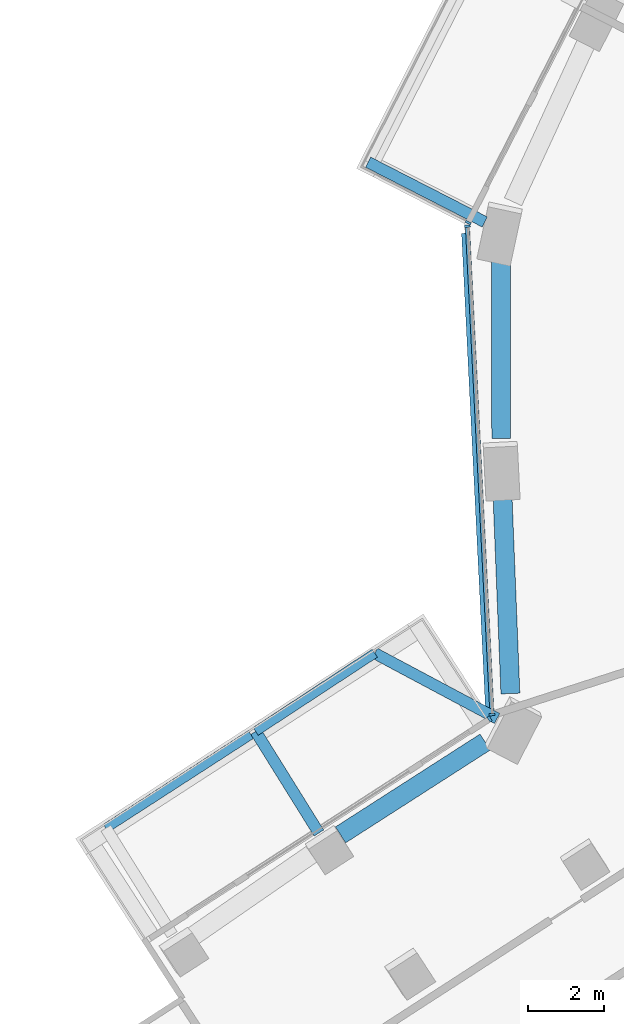
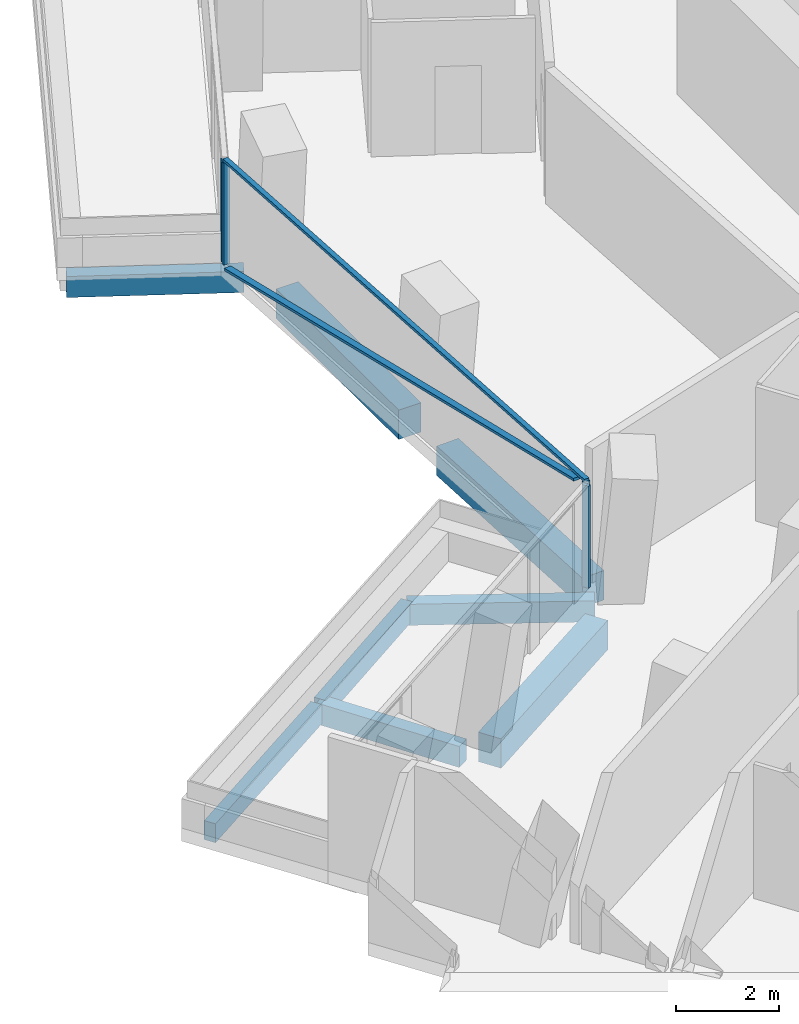
# One storey, part 4 of 25: 8 beams, 6 members, 3 elements without a shape of their own.
"""IFC4 building model written with IfcOpenShell, lengths in metres."""

from ifc_helpers import new_model, si_unit, direction, frame, origin, origin_2d, place, context, subcontext, project, spatial, rectangle, extrude, material, layer, layer_set, material_profile, profile_set, type_object, element, aggregate, save


model = new_model("IFC4")

# Units and contexts
model_context = context("Model", 3, precision=1e-05, world=origin(), true_north=direction((0.0, 1.0)))
body_context = subcontext(model_context, "Body", "Model", "MODEL_VIEW")
ifc_project = project(units=[si_unit("LENGTHUNIT", "METRE"), si_unit("AREAUNIT", "SQUARE_METRE"), si_unit("VOLUMEUNIT", "CUBIC_METRE"), si_unit("PLANEANGLEUNIT", "RADIAN"), si_unit("MASSUNIT", "GRAM", prefix="KILO")], contexts=[model_context])

# Site, building, storey
site_placement = place(None, origin())
site = spatial("IfcSite", under=ifc_project, at=site_placement, CompositionType="ELEMENT")
building_placement = place(site_placement, origin())
building = spatial("IfcBuilding", under=site, at=building_placement, Name="Verdalira Terraces Hotel", CompositionType="ELEMENT")
storey_placement = place(building_placement, frame((0.0, 0.0, 46.0)))
storey = spatial("IfcBuildingStorey", under=building, at=storey_placement, Name="L09", CompositionType="ELEMENT", Elevation=46.0)

# Beams
ifc_material_1 = material(Name="Concrete C40", Category="concrete")
ifc_material_profile_1 = material_profile(ifc_material_1, rectangle(XDim=0.300049, YDim=0.5, at=origin_2d()), Name="RC 300X500")
ifc_profile_set_1 = profile_set([ifc_material_profile_1], Name="Concrete C40")
beam_type_1 = type_object("IfcBeamType", Name="Balcony cantilever beam RC 300X500 C40", PredefinedType="BEAM", material=ifc_profile_set_1)
beam_1_placement = place(storey_placement, frame((-24.018066, 5.317139, -0.560059), z_axis=(-0.890020301, 0.455920897, 0.0), x_axis=(-0.455920897, -0.890020301, 0.0)))
element("IfcBeam", 1, at=beam_1_placement, inside=storey, type_object=beam_type_1, Name="Balcony cantilever beam R11-2", PredefinedType="BEAM", context=body_context, shape_type="SweptSolid", body=[
    extrude(rectangle(XDim=0.300049, YDim=0.5, at=origin_2d()), origin(), (0.0, 0.0, 1.0), 3.457031),
])
beam_2_placement = place(storey_placement, frame((-23.693115, -7.780029, -0.560059), z_axis=(-0.882280838, 0.470723405, 0.0), x_axis=(-0.470723405, -0.882280838, 0.0)))
element("IfcBeam", 2, at=beam_2_placement, inside=storey, type_object=beam_type_1, Name="Balcony cantilever beam R14-1", PredefinedType="BEAM", context=body_context, shape_type="SweptSolid", body=[
    extrude(rectangle(XDim=0.300049, YDim=0.5, at=origin_2d()), origin(), (0.0, 0.0, 1.0), 3.656006),
])
beam_3_placement = place(storey_placement, frame((-28.393311, -10.800049, -0.560059), z_axis=(-0.528712, 0.848801285, 0.0), x_axis=(-0.848801285, -0.528712, 0.0)))
element("IfcBeam", 3, at=beam_3_placement, inside=storey, type_object=beam_type_1, Name="Balcony cantilever beam R14-2", PredefinedType="BEAM", context=body_context, shape_type="SweptSolid", body=[
    extrude(rectangle(XDim=0.300049, YDim=0.5, at=origin_2d()), origin(), (0.0, 0.0, 1.0), 3.15625),
])
ifc_material_2 = material(Name="Concrete C40", Category="concrete")
ifc_material_profile_2 = material_profile(ifc_material_2, rectangle(XDim=0.25, YDim=0.449951, at=origin_2d()), Name="RC 250X450")
ifc_profile_set_2 = profile_set([ifc_material_profile_2], Name="Concrete C40")
beam_type_2 = type_object("IfcBeamType", Name="Balcony edge beam RC 250X450 C40", PredefinedType="BEAM", material=ifc_profile_set_2)
beam_4_placement = place(storey_placement, frame((-26.918701, -6.059082, -0.534912), z_axis=(-0.836143783, -0.548510322, 0.0), x_axis=(0.548510322, -0.836143783, 0.0)))
element("IfcBeam", 4, at=beam_4_placement, inside=storey, type_object=beam_type_2, Name="Balcony edge beam R14-1", PredefinedType="BEAM", context=body_context, shape_type="SweptSolid", body=[
    extrude(rectangle(XDim=0.25, YDim=0.449951, at=origin_2d()), origin(), (0.0, 0.0, 1.0), 3.759277),
])
beam_5_placement = place(storey_placement, frame((-30.187988, -8.202393, -0.534912), z_axis=(-0.839795942, -0.542902178, 0.0), x_axis=(0.542902178, -0.839795942, 0.0)))
element("IfcBeam", 5, at=beam_5_placement, inside=storey, type_object=beam_type_2, Name="Balcony edge beam R14-2", PredefinedType="BEAM", context=body_context, shape_type="SweptSolid", body=[
    extrude(rectangle(XDim=0.25, YDim=0.449951, at=origin_2d()), origin(), (0.0, 0.0, 1.0), 4.553223),
])

# Curtain wall, member
ifc_material_3 = material(Name="Clear glass", Category="glass")
ifc_layer_1 = layer(ifc_material_3, 0.14990234375)
ifc_layer_set_1 = layer_set([ifc_layer_1], Name="CW1 curtain wall")
curtain_wall_type_1 = type_object("IfcCurtainWallType", Name="CW1 curtain wall", PredefinedType="NOTDEFINED", material=ifc_layer_set_1)
curtain_wall_1_placement = place(storey_placement, origin())
curtain_wall_1 = element("IfcCurtainWall", 6, at=curtain_wall_1_placement, inside=storey, type_object=curtain_wall_type_1, Name="CW1 curtain wall L09 edge 12", PredefinedType="NOTDEFINED")
ifc_material_4 = material(Name="Terracotta frame", Category="masonry")
ifc_material_profile_3 = material_profile(ifc_material_4, rectangle(XDim=0.060059, YDim=0.149902, at=origin_2d()), Name="MU 60x150")
ifc_profile_set_3 = profile_set([ifc_material_profile_3], Name="Terracotta frame")
member_type_1 = type_object("IfcMemberType", Name="CW1 mullion 60x150", PredefinedType="MULLION", material=ifc_profile_set_3)
member_1_placement = place(storey_placement, frame((-24.455566, 5.30127, 0.0), z_axis=(0.0, 0.0, 1.0), x_axis=(-0.455855622, -0.890053735, 0.0)))
member_1 = element("IfcMember", 7, at=member_1_placement, type_object=member_type_1, Name="CW1 mullion", PredefinedType="MULLION", context=body_context, shape_type="SweptSolid", body=[
    extrude(rectangle(XDim=0.060059, YDim=0.149902, at=origin_2d()), origin(), (0.0, 0.0, 1.0), 2.425049),
])
aggregate(curtain_wall_1, [member_1])

# Curtain wall, members
curtain_wall_2_placement = place(storey_placement, origin())
curtain_wall_2 = element("IfcCurtainWall", 8, at=curtain_wall_2_placement, inside=storey, type_object=curtain_wall_type_1, Name="CW1 curtain wall L09 edge 13", PredefinedType="NOTDEFINED")
member_2_placement = place(storey_placement, frame((-24.47583, 5.206543, 0.0), z_axis=(0.0, 0.0, 1.0), x_axis=(0.050244318, -0.998736957, 0.0)))
member_2 = element("IfcMember", 9, at=member_2_placement, type_object=member_type_1, Name="CW1 mullion", PredefinedType="MULLION", context=body_context, shape_type="SweptSolid", body=[
    extrude(rectangle(XDim=0.060059, YDim=0.149902, at=origin_2d()), origin(), (0.0, 0.0, 1.0), 2.425049),
])
member_3_placement = place(storey_placement, frame((-23.827637, -7.677002, 0.0), z_axis=(0.0, 0.0, 1.0), x_axis=(0.050244318, -0.998736957, 0.0)))
member_3 = element("IfcMember", 10, at=member_3_placement, type_object=member_type_1, Name="CW1 mullion", PredefinedType="MULLION", context=body_context, shape_type="SweptSolid", body=[
    extrude(rectangle(XDim=0.060059, YDim=0.149902, at=origin_2d()), origin(), (0.0, 0.0, 1.0), 2.425049),
])
ifc_material_5 = material(Name="Terracotta frame", Category="masonry")
ifc_material_profile_4 = material_profile(ifc_material_5, rectangle(XDim=0.110107, YDim=0.064941, at=origin_2d()), Name="TR 65x110")
ifc_profile_set_4 = profile_set([ifc_material_profile_4], Name="Terracotta frame")
member_type_2 = type_object("IfcMemberType", Name="CW1 transom 65x110", PredefinedType="USERDEFINED", material=ifc_profile_set_4)
member_4_placement = place(storey_placement, frame((-24.477295, 5.236572, 2.45752), z_axis=(0.050242036, -0.998737071, 0.0), x_axis=(0.998737071, 0.050242036, 0.0)))
member_4 = element("IfcMember", 11, at=member_4_placement, type_object=member_type_2, Name="CW1 transom", ObjectType="TRANSOM", PredefinedType="USERDEFINED", context=body_context, shape_type="SweptSolid", body=[
    extrude(rectangle(XDim=0.110107, YDim=0.064941, at=origin_2d()), origin(), (0.0, 0.0, 1.0), 12.959717),
])

# Curtain wall, member
ifc_material_6 = material(Name="Clear glass", Category="glass")
ifc_layer_2 = layer(ifc_material_6, 0.14990234375)
ifc_layer_set_2 = layer_set([ifc_layer_2], Name="CW2 curtain wall")
curtain_wall_type_2 = type_object("IfcCurtainWallType", Name="CW2 curtain wall", PredefinedType="NOTDEFINED", material=ifc_layer_set_2)
curtain_wall_3_placement = place(storey_placement, origin())
curtain_wall_3 = element("IfcCurtainWall", 12, at=curtain_wall_3_placement, inside=storey, type_object=curtain_wall_type_2, Name="CW2 curtain wall L09 edge 14", PredefinedType="NOTDEFINED")
ifc_material_7 = material(Name="Terracotta frame", Category="masonry")
ifc_material_profile_5 = material_profile(ifc_material_7, rectangle(XDim=0.070068, YDim=0.149902, at=origin_2d()), Name="MU 70x150")
ifc_profile_set_5 = profile_set([ifc_material_profile_5], Name="Terracotta frame")
member_type_3 = type_object("IfcMemberType", Name="CW2 mullion 70x150", PredefinedType="MULLION", material=ifc_profile_set_5)
member_5_placement = place(storey_placement, frame((-23.889893, -7.792725, 0.0), z_axis=(0.0, 0.0, 1.0), x_axis=(-0.839809417, -0.542881334, 0.0)))
member_5 = element("IfcMember", 13, at=member_5_placement, type_object=member_type_3, Name="CW2 mullion", PredefinedType="MULLION", context=body_context, shape_type="SweptSolid", body=[
    extrude(rectangle(XDim=0.070068, YDim=0.149902, at=origin_2d()), origin(), (0.0, 0.0, 1.0), 2.425049),
])
aggregate(curtain_wall_3, [member_5])

# Member
ifc_material_8 = material(Name="Terracotta frame", Category="masonry")
ifc_material_profile_6 = material_profile(ifc_material_8, rectangle(XDim=0.149902, YDim=0.060059, at=origin_2d()), Name="GB 60x150")
ifc_profile_set_6 = profile_set([ifc_material_profile_6], Name="Terracotta frame")
member_type_4 = type_object("IfcMemberType", Name="Diagonal glazing bar 60x150", PredefinedType="USERDEFINED", material=ifc_profile_set_6)
member_6_placement = place(storey_placement, frame((-24.555176, 5.014404, 0.029785), z_axis=(0.049363306, -0.98138543, 0.18559607), x_axis=(0.99873737, 0.050236102, 0.0)))
member_6 = element("IfcMember", 14, at=member_6_placement, type_object=member_type_4, Name="Diagonal glazing bar", ObjectType="GLAZING BAR", PredefinedType="USERDEFINED", context=body_context, shape_type="SweptSolid", body=[
    extrude(rectangle(XDim=0.149902, YDim=0.060059, at=origin_2d()), origin(), (0.0, 0.0, 1.0), 12.745361),
])

aggregate(curtain_wall_2, [member_2, member_3, member_4, member_6])

# Beams
ifc_material_9 = material(Name="Concrete C70", Category="concrete")
ifc_material_profile_7 = material_profile(ifc_material_9, rectangle(XDim=0.5, YDim=0.699951, at=origin_2d()), Name="RC 500X700")
ifc_profile_set_7 = profile_set([ifc_material_profile_7], Name="Concrete C70")
beam_type_3 = type_object("IfcBeamType", Name="Spandrel beam RC 500X700 C70", PredefinedType="SPANDREL", material=ifc_profile_set_7)
beam_6_placement = place(storey_placement, frame((-23.594482, 4.36084, -0.659912), z_axis=(0.002359936, -0.999997215, 0.0), x_axis=(0.999997215, 0.002359936, 0.0)))
element("IfcBeam", 15, at=beam_6_placement, inside=storey, type_object=beam_type_3, Name="Spandrel beam B12", PredefinedType="SPANDREL", context=body_context, shape_type="SweptSolid", body=[
    extrude(rectangle(XDim=0.5, YDim=0.699951, at=origin_2d()), origin(), (0.0, 0.0, 1.0), 4.758789),
])
beam_7_placement = place(storey_placement, frame((-23.553711, -1.813965, -0.659912), z_axis=(0.039801012, -0.999207626, 0.0), x_axis=(0.999207626, 0.039801012, 0.0)))
element("IfcBeam", 16, at=beam_7_placement, inside=storey, type_object=beam_type_3, Name="Spandrel beam B13", PredefinedType="SPANDREL", context=body_context, shape_type="SweptSolid", body=[
    extrude(rectangle(XDim=0.5, YDim=0.699951, at=origin_2d()), origin(), (0.0, 0.0, 1.0), 5.312012),
])
beam_8_placement = place(storey_placement, frame((-24.008301, -8.401367, -0.659912), z_axis=(-0.841523119, -0.540221102, 0.0), x_axis=(0.540221102, -0.841523119, 0.0)))
element("IfcBeam", 17, at=beam_8_placement, inside=storey, type_object=beam_type_3, Name="Spandrel beam B14", PredefinedType="SPANDREL", context=body_context, shape_type="SweptSolid", body=[
    extrude(rectangle(XDim=0.5, YDim=0.699951, at=origin_2d()), origin(), (0.0, 0.0, 1.0), 4.531982),
])

save(model, "model.ifc")
